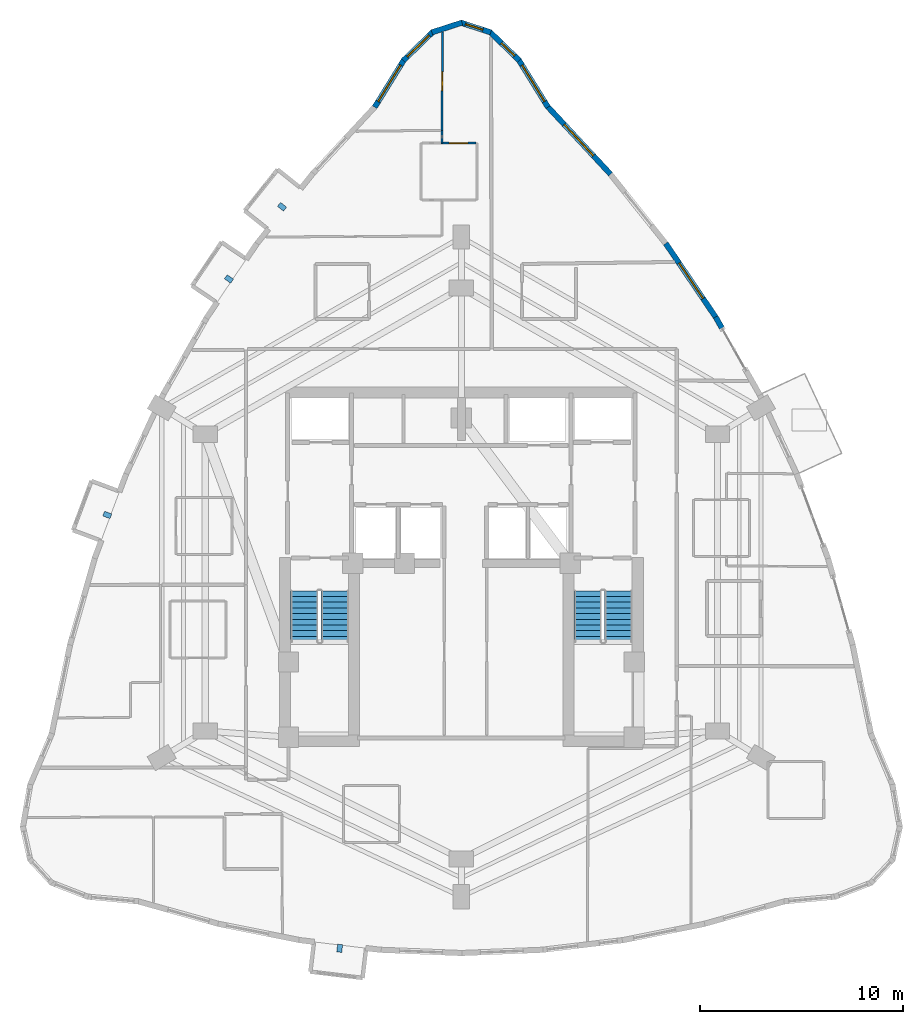
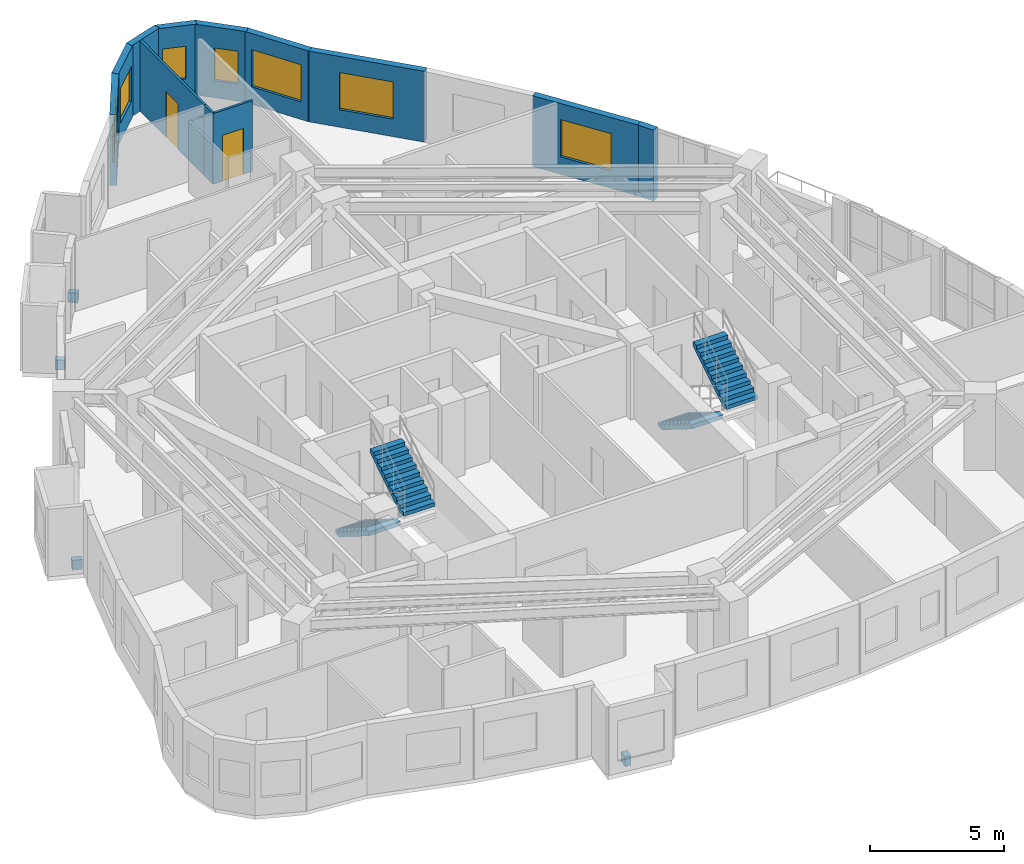
# One storey, part 13 of 14: 12 walls, 7 windows, 4 discrete accessories, 4 stair flights, 2 doors, 9 openings, 2 elements without a shape of their own.
"""IFC4 building model written with IfcOpenShell, lengths in metres."""

import ifcopenshell
import ifcopenshell.guid

model = None  # the IFC model being written
_history = None  # IfcOwnerHistory: only IFC2X3 demands one
_inside = {}  # id of a spatial element -> (the spatial element, [elements in it])
_under = {}  # id of a project, library or spatial element -> (it, [spatial elements below it])
_declared = {}  # id of a project -> (the project, [libraries it declares])
_typed = {}  # id of a type object -> (the type object, [elements of that type])
_made_of = {}  # id of a material, layer set ... -> (it, [elements and type objects made of it])


def new_model(schema):
    """Start an empty IFC model of exactly this schema.

    Asked for "IFC4X3", IfcOpenShell would pick the latest addendum, in which some entities
    have other attributes; the version numbers below select the first issue.
    IFC2X3 requires an IfcOwnerHistory on every rooted entity: one is made here for all.
    """
    global model, _history
    if schema == "IFC4X3":
        model = ifcopenshell.file(schema_version=(4, 3, 0, 0))
    else:
        model = ifcopenshell.file(schema=schema)
    _inside.clear()
    _under.clear()
    _declared.clear()
    _typed.clear()
    _made_of.clear()
    _history = None
    if model.schema == "IFC2X3":
        org = make("IfcOrganization", Name="unknown")
        user = make(
            "IfcPersonAndOrganization",
            ThePerson=make("IfcPerson", FamilyName="unknown"),
            TheOrganization=org,
        )
        app = make(
            "IfcApplication",
            ApplicationDeveloper=org,
            Version="unknown",
            ApplicationFullName="unknown",
            ApplicationIdentifier="unknown",
        )
        _history = make(
            "IfcOwnerHistory",
            OwningUser=user,
            OwningApplication=app,
            ChangeAction="ADDED",
            CreationDate=0,
        )
    return model


def make(cls, **values):
    """One entity of the class cls with the attributes given. An attribute that is None is left unset."""
    return model.create_entity(
        cls, **{name: value for name, value in values.items() if value is not None}
    )


def rooted(cls, **values):
    """An entity with a GlobalId (a new one), such as an element, a storey or a relation."""
    return make(cls, GlobalId=ifcopenshell.guid.new(), OwnerHistory=_history, **values)


def si_unit(unit_type, name, prefix=None):
    """IfcSIUnit, for example si_unit("LENGTHUNIT", "METRE", prefix="MILLI")."""
    return make("IfcSIUnit", UnitType=unit_type, Prefix=prefix, Name=name)


def assignment(units):
    """IfcUnitAssignment: the units of a project."""
    return None if units is None else make("IfcUnitAssignment", Units=units)


def point(xyz):
    """IfcCartesianPoint."""
    return None if xyz is None else make("IfcCartesianPoint", Coordinates=xyz)


def direction(xyz):
    """IfcDirection."""
    return None if xyz is None else make("IfcDirection", DirectionRatios=xyz)


def frame(location, z_axis=None, x_axis=None):
    """IfcAxis2Placement3D, a coordinate frame: its origin and axes. An axis left out is left unset."""
    return make(
        "IfcAxis2Placement3D",
        Location=point(location),
        Axis=direction(z_axis),
        RefDirection=direction(x_axis),
    )


def frame_2d(location, x_axis=None):
    """IfcAxis2Placement2D, a coordinate frame in the plane: its origin and x axis."""
    return make(
        "IfcAxis2Placement2D", Location=point(location), RefDirection=direction(x_axis)
    )


def origin():
    """The frame at (0, 0, 0) with its axes left unset."""
    return frame((0.0, 0.0, 0.0))


def origin_2d():
    """The frame at (0, 0) in the plane with its x axis left unset."""
    return frame_2d((0.0, 0.0))


def place(relative_to, where):
    """IfcLocalPlacement: puts the frame where relative to a parent placement (None: the world)."""
    return make(
        "IfcLocalPlacement", PlacementRelTo=relative_to, RelativePlacement=where
    )


def context(
    kind, dimensions, precision=None, world=None, true_north=None, identifier=None
):
    """IfcGeometricRepresentationContext, for example the 3D "Model" context."""
    return make(
        "IfcGeometricRepresentationContext",
        ContextIdentifier=identifier,
        ContextType=kind,
        CoordinateSpaceDimension=dimensions,
        Precision=precision,
        WorldCoordinateSystem=world,
        TrueNorth=true_north,
    )


def subcontext(parent, identifier, kind, view, scale=None):
    """IfcGeometricRepresentationSubContext, for example "Body" below "Model"."""
    return make(
        "IfcGeometricRepresentationSubContext",
        ContextIdentifier=identifier,
        ContextType=kind,
        ParentContext=parent,
        TargetScale=scale,
        TargetView=view,
    )


def project(units=None, contexts=None):
    """IfcProject with its units and contexts."""
    return rooted(
        "IfcProject",
        Name="project",
        RepresentationContexts=contexts,
        UnitsInContext=assignment(units),
    )


def spatial(cls, under=None, at=None, **own):
    """A site, building, storey or space (cls), placed at a placement, below another one or the project."""
    s = rooted(cls, ObjectPlacement=at, **own)
    if under is not None:
        _under.setdefault(under.id(), (under, []))[1].append(s)
    return s


def polyline(points):
    """IfcPolyline through the points."""
    return make("IfcPolyline", Points=[point(p) for p in points])


def profile(cls, at=None, kind="AREA", **sizes):
    """A parametric profile (cls). Its sizes go by their IFC names, for example OverallWidth=200.0."""
    return make(cls, ProfileType=kind, Position=at, **sizes)


def rectangle(**sizes):
    """IfcRectangleProfileDef."""
    return profile("IfcRectangleProfileDef", **sizes)


def outline(outer, holes=None, kind="AREA"):
    """IfcArbitraryClosedProfileDef: a profile drawn as a closed curve; with holes, ...WithVoids."""
    if holes is None:
        return make("IfcArbitraryClosedProfileDef", ProfileType=kind, OuterCurve=outer)
    return make(
        "IfcArbitraryProfileDefWithVoids",
        ProfileType=kind,
        OuterCurve=outer,
        InnerCurves=holes,
    )


def extrude(swept, where, along, depth):
    """IfcExtrudedAreaSolid: the profile swept, set in the frame where, extruded along a direction by depth."""
    return make(
        "IfcExtrudedAreaSolid",
        SweptArea=swept,
        Position=where,
        ExtrudedDirection=direction(along),
        Depth=depth,
    )


def shape(context_of_items, identifier, shape_type, items):
    """IfcShapeRepresentation: the items that make up one representation, for example the "Body"."""
    return make(
        "IfcShapeRepresentation",
        ContextOfItems=context_of_items,
        RepresentationIdentifier=identifier,
        RepresentationType=shape_type,
        Items=items,
    )


def material(Name=None, Category=None):
    """IfcMaterial."""
    return make("IfcMaterial", Name=Name, Category=Category)


def layer(
    of_material, thickness, ventilated=None, Name=None, Category=None, Priority=None
):
    """IfcMaterialLayer: one layer of a wall or slab, of a material (None: an air gap)."""
    return make(
        "IfcMaterialLayer",
        Material=of_material,
        LayerThickness=thickness,
        IsVentilated=ventilated,
        Name=Name,
        Category=Category,
        Priority=Priority,
    )


def layer_set(layers, Name=None):
    """IfcMaterialLayerSet."""
    return make("IfcMaterialLayerSet", MaterialLayers=layers, LayerSetName=Name)


def made_of(thing, what):
    """Note that an element or type object is made of a material, layer set ...; save() writes the relation."""
    if what is not None:
        _made_of.setdefault(what.id(), (what, []))[1].append(thing)
    return thing


def type_object(cls, material=None, **own):
    """A type object (cls), such as IfcWallType, which elements share."""
    return made_of(rooted(cls, **own), material)


def element(
    cls,
    number,
    at=None,
    inside=None,
    cuts=None,
    type_object=None,
    material=None,
    context=None,
    identifier="Body",
    shape_type=None,
    held_by="IfcProductDefinitionShape",
    body=None,
    shapes=None,
    **own,
):
    """One element of the class cls, such as IfcWall. Its Tag is "e" and its number.

    at: its placement. inside: the storey or other place that contains it. cuts: it is an
    opening in that element (IfcRelVoidsElement). A single representation is given by context,
    identifier, shape_type and body (its items); several are given by shapes. held_by: the class
    of the entity that holds the representations. save() writes the other relations.
    """
    e = rooted(cls, Tag="e%d" % number, ObjectPlacement=at, **own)
    if body is not None:
        shapes = [shape(context, identifier, shape_type, body)]
    if shapes is not None:
        e.Representation = make(held_by, Representations=shapes)
    if inside is not None:
        _inside.setdefault(inside.id(), (inside, []))[1].append(e)
    if cuts is not None:
        rooted(
            "IfcRelVoidsElement", RelatingBuildingElement=cuts, RelatedOpeningElement=e
        )
    if type_object is not None:
        _typed.setdefault(type_object.id(), (type_object, []))[1].append(e)
    return made_of(e, material)


def fill(opening, filler):
    """IfcRelFillsElement: the door or window that sits in an opening."""
    return rooted(
        "IfcRelFillsElement",
        RelatingOpeningElement=opening,
        RelatedBuildingElement=filler,
    )


def aggregate(whole, parts):
    """IfcRelAggregates: a whole, such as a stair, and the parts it consists of."""
    return rooted("IfcRelAggregates", RelatingObject=whole, RelatedObjects=parts)


def save(model, path):
    """Write the relations noted so far, then the file.

    IfcRelAggregates (storeys below a building ...), IfcRelContainedInSpatialStructure (elements
    in a storey), IfcRelDefinesByType, IfcRelAssociatesMaterial and IfcRelDeclares: one each for
    every whole, place, type object, material and project.
    """
    for whole, parts in _under.values():
        aggregate(whole, parts)
    for where, things in _inside.values():
        rooted(
            "IfcRelContainedInSpatialStructure",
            RelatedElements=things,
            RelatingStructure=where,
        )
    for kind, things in _typed.values():
        rooted("IfcRelDefinesByType", RelatedObjects=things, RelatingType=kind)
    for what, things in _made_of.values():
        rooted("IfcRelAssociatesMaterial", RelatedObjects=things, RelatingMaterial=what)
    for by, libraries in _declared.values():
        rooted("IfcRelDeclares", RelatingContext=by, RelatedDefinitions=libraries)
    model.write(path)


model = new_model("IFC4")

# Units and contexts
model_context = context("Model", 3, precision=1e-05, world=origin(), true_north=direction((0.0, 1.0)))
body_context = subcontext(model_context, "Body", "Model", "MODEL_VIEW")
ifc_project = project(units=[si_unit("LENGTHUNIT", "METRE"), si_unit("AREAUNIT", "SQUARE_METRE"), si_unit("VOLUMEUNIT", "CUBIC_METRE"), si_unit("PLANEANGLEUNIT", "RADIAN"), si_unit("MASSUNIT", "GRAM", prefix="KILO")], contexts=[model_context])

# Site, building, storey
site_placement = place(None, origin())
site = spatial("IfcSite", under=ifc_project, at=site_placement, CompositionType="ELEMENT")
building_placement = place(site_placement, origin())
building = spatial("IfcBuilding", under=site, at=building_placement, Name="Miruveldt Soraemaru", CompositionType="ELEMENT")
storey_placement = place(building_placement, frame((0.0, 0.0, 142.39990234375)))
storey = spatial("IfcBuildingStorey", under=building, at=storey_placement, Name="L39", CompositionType="ELEMENT", Elevation=142.39990234375)

# Wall, opening, window
ifc_material_1 = material(Name="Precast concrete C45/55 (45 MPa)", Category="concrete")
ifc_layer_1 = layer(ifc_material_1, 0.27001953125, Name="Precast concrete C45/55 (45 MPa)", Category="concrete")
ifc_layer_set_1 = layer_set([ifc_layer_1], Name="Precast concrete C45/55 (45 MPa)")
wall_type_1 = type_object("IfcWallType", Name="WALL-EXT-PC270", PredefinedType="SOLIDWALL", material=ifc_layer_set_1)
wall_1_placement = place(storey_placement, frame((48.264892578125, 66.4951171875, 0.0), z_axis=(0.0, 0.0, 1.0), x_axis=(-0.52601054543, 0.850478045629, 0.0)))
wall_1 = element("IfcWall", 1, at=wall_1_placement, inside=storey, type_object=wall_type_1, Name="L39 Precast Concrete Facade Wall 1", PredefinedType="SOLIDWALL", context=body_context, shape_type="SweptSolid", body=[
    extrude(rectangle(XDim=2.7607421875, YDim=0.27001953125, at=frame_2d((1.38037109375, 0.0))), origin(), (0.0, 0.0, 1.0), 3.235107421875),
])
opening_1_placement = place(wall_1_placement, frame((0.3310546875, 0.0, 0.800048828125)))
opening_1 = element("IfcOpeningElement", 2, at=opening_1_placement, cuts=wall_1, Name="Opening WN-1", PredefinedType="OPENING", context=body_context, shape_type="SweptSolid", body=[
    extrude(rectangle(XDim=2.10009765625, YDim=1.699951171875, at=frame_2d((1.050048828125, 0.85009765625))), frame((0.0, 0.14501953125, 0.0), z_axis=(0.0, -1.0, 0.0), x_axis=(1.0, 0.0, 0.0)), (0.0, 0.0, 1.0), 0.2900390625),
])
ifc_material_2 = material(Name="Triple low-e insulated glazing", Category="glass")
window_type_1 = type_object("IfcWindowType", Name="WIN-PUNCH-2100x1700", PartitioningType="SINGLE_PANEL", PredefinedType="WINDOW", material=ifc_material_2)
window_1_placement = place(opening_1_placement, origin())
window_1 = element("IfcWindow", 3, at=window_1_placement, inside=storey, type_object=window_type_1, Name="L39 Punched Triple-Glazed Window 01.1", OverallHeight=1.699951171875, OverallWidth=2.10009765625, PartitioningType="SINGLE_PANEL", PredefinedType="WINDOW", context=body_context, shape_type="SweptSolid", body=[
    extrude(rectangle(XDim=2.10009765625, YDim=1.699951171875, at=frame_2d((1.050048828125, 0.85009765625))), frame((0.0, 0.030029296875, 0.0), z_axis=(0.0, -1.0, 0.0), x_axis=(1.0, 0.0, 0.0)), (0.0, 0.0, 1.0), 0.06005859375),
])
fill(opening_1, window_1)

wall_2_placement = place(storey_placement, frame((46.856201171875, 68.788818359375, 0.0), z_axis=(0.0, 0.0, 1.0), x_axis=(-0.717784510079, 0.696265320902, 0.0)))
wall_2 = element("IfcWall", 4, at=wall_2_placement, inside=storey, type_object=wall_type_1, Name="L39 Precast Concrete Facade Wall 2", PredefinedType="SOLIDWALL", context=body_context, shape_type="SweptSolid", body=[
    extrude(rectangle(XDim=2.042236328125, YDim=0.27001953125, at=frame_2d((1.02099609375, 0.0))), origin(), (0.0, 0.0, 1.0), 3.235107421875),
])
opening_2_placement = place(wall_2_placement, frame((0.333984375, 0.0, 0.780029296875)))
opening_2 = element("IfcOpeningElement", 5, at=opening_2_placement, cuts=wall_2, Name="Opening WN-7", PredefinedType="OPENING", context=body_context, shape_type="SweptSolid", body=[
    extrude(rectangle(XDim=0.89990234375, YDim=1.5, at=frame_2d((0.449951171875, 0.75))), frame((0.0, 0.14501953125, 0.0), z_axis=(0.0, -1.0, 0.0), x_axis=(1.0, 0.0, 0.0)), (0.0, 0.0, 1.0), 0.2900390625),
])
window_type_2 = type_object("IfcWindowType", Name="WIN-PUNCH-900x1500", PartitioningType="SINGLE_PANEL", PredefinedType="WINDOW", material=ifc_material_2)
window_2_placement = place(opening_2_placement, origin())
window_2 = element("IfcWindow", 6, at=window_2_placement, inside=storey, type_object=window_type_2, Name="L39 Punched Triple-Glazed Window 02.1", OverallHeight=1.5, OverallWidth=0.89990234375, PartitioningType="SINGLE_PANEL", PredefinedType="WINDOW", context=body_context, shape_type="SweptSolid", body=[
    extrude(rectangle(XDim=0.89990234375, YDim=1.5, at=frame_2d((0.449951171875, 0.75))), frame((0.0, 0.030029296875, 0.0), z_axis=(0.0, -1.0, 0.0), x_axis=(1.0, 0.0, 0.0)), (0.0, 0.0, 1.0), 0.06005859375),
])
fill(opening_2, window_2)

wall_3_placement = place(storey_placement, frame((45.44873046875, 70.175537109375, 0.0), z_axis=(0.0, 0.0, 1.0), x_axis=(-0.951482318346, 0.307703425192, 0.0)))
wall_3 = element("IfcWall", 7, at=wall_3_placement, inside=storey, type_object=wall_type_1, Name="L39 Precast Concrete Facade Wall 3", PredefinedType="SOLIDWALL", context=body_context, shape_type="SweptSolid", body=[
    extrude(rectangle(XDim=1.5576171875, YDim=0.27001953125, at=frame_2d((0.77880859375, 0.0))), origin(), (0.0, 0.0, 1.0), 3.235107421875),
])
opening_3_placement = place(wall_3_placement, frame((0.410888671875, 0.0, 0.780029296875)))
opening_3 = element("IfcOpeningElement", 8, at=opening_3_placement, cuts=wall_3, Name="Opening WN-7", PredefinedType="OPENING", context=body_context, shape_type="SweptSolid", body=[
    extrude(rectangle(XDim=0.89990234375, YDim=1.5, at=frame_2d((0.449951171875, 0.75))), frame((0.0, 0.14501953125, 0.0), z_axis=(0.0, -1.0, 0.0), x_axis=(1.0, 0.0, 0.0)), (0.0, 0.0, 1.0), 0.2900390625),
])
window_3_placement = place(opening_3_placement, origin())
window_3 = element("IfcWindow", 9, at=window_3_placement, inside=storey, type_object=window_type_2, Name="L39 Punched Triple-Glazed Window 03.1", OverallHeight=1.5, OverallWidth=0.89990234375, PartitioningType="SINGLE_PANEL", PredefinedType="WINDOW", context=body_context, shape_type="SweptSolid", body=[
    extrude(rectangle(XDim=0.89990234375, YDim=1.5, at=frame_2d((0.449951171875, 0.75))), frame((0.0, 0.030029296875, 0.0), z_axis=(0.0, -1.0, 0.0), x_axis=(1.0, 0.0, 0.0)), (0.0, 0.0, 1.0), 0.06005859375),
])
fill(opening_3, window_3)

# Wall
wall_4_placement = place(storey_placement, frame((44.033203125, 70.65478515625, 0.0), z_axis=(0.0, 0.0, 1.0), x_axis=(-0.951482318346, -0.307703425192, 0.0)))
element("IfcWall", 10, at=wall_4_placement, inside=storey, type_object=wall_type_1, Name="L39 Precast Concrete Facade Wall 4", PredefinedType="SOLIDWALL", context=body_context, shape_type="SweptSolid", body=[
    extrude(rectangle(XDim=1.5576171875, YDim=0.27001953125, at=frame_2d((0.77880859375, 0.0))), origin(), (0.0, 0.0, 1.0), 3.235107421875),
])

# Wall, opening, window
wall_5_placement = place(storey_placement, frame((42.609619140625, 70.210693359375, 0.0), z_axis=(0.0, 0.0, 1.0), x_axis=(-0.717784510079, -0.696265320902, 0.0)))
wall_5 = element("IfcWall", 11, at=wall_5_placement, inside=storey, type_object=wall_type_1, Name="L39 Precast Concrete Facade Wall 5", PredefinedType="SOLIDWALL", context=body_context, shape_type="SweptSolid", body=[
    extrude(rectangle(XDim=2.042236328125, YDim=0.27001953125, at=frame_2d((1.02099609375, 0.0))), origin(), (0.0, 0.0, 1.0), 3.235107421875),
])
opening_4_placement = place(wall_5_placement, frame((0.27099609375, 0.0, 0.800048828125)))
opening_4 = element("IfcOpeningElement", 12, at=opening_4_placement, cuts=wall_5, Name="Opening WN-3", PredefinedType="OPENING", context=body_context, shape_type="SweptSolid", body=[
    extrude(rectangle(XDim=1.5, YDim=1.60009765625, at=frame_2d((0.75, 0.800048828125))), frame((0.0, 0.14501953125, 0.0), z_axis=(0.0, -1.0, 0.0), x_axis=(1.0, 0.0, 0.0)), (0.0, 0.0, 1.0), 0.2900390625),
])
window_type_3 = type_object("IfcWindowType", Name="WIN-PUNCH-1500x1600", PartitioningType="SINGLE_PANEL", PredefinedType="WINDOW", material=ifc_material_2)
window_4_placement = place(opening_4_placement, origin())
window_4 = element("IfcWindow", 13, at=window_4_placement, inside=storey, type_object=window_type_3, Name="L39 Punched Triple-Glazed Window 05.1", OverallHeight=1.60009765625, OverallWidth=1.5, PartitioningType="SINGLE_PANEL", PredefinedType="WINDOW", context=body_context, shape_type="SweptSolid", body=[
    extrude(rectangle(XDim=1.5, YDim=1.60009765625, at=frame_2d((0.75, 0.800048828125))), frame((0.0, 0.030029296875, 0.0), z_axis=(0.0, -1.0, 0.0), x_axis=(1.0, 0.0, 0.0)), (0.0, 0.0, 1.0), 0.06005859375),
])
fill(opening_4, window_4)

wall_6_placement = place(storey_placement, frame((41.187255859375, 68.843017578125, 0.0), z_axis=(0.0, 0.0, 1.0), x_axis=(-0.52601054543, -0.850478045629, 0.0)))
wall_6 = element("IfcWall", 14, at=wall_6_placement, inside=storey, type_object=wall_type_1, Name="L39 Precast Concrete Facade Wall 6", PredefinedType="SOLIDWALL", context=body_context, shape_type="SweptSolid", body=[
    extrude(rectangle(XDim=2.7607421875, YDim=0.27001953125, at=frame_2d((1.38037109375, 0.0))), origin(), (0.0, 0.0, 1.0), 3.235107421875),
])
opening_5_placement = place(wall_6_placement, frame((0.3310546875, 0.0, 0.800048828125)))
opening_5 = element("IfcOpeningElement", 15, at=opening_5_placement, cuts=wall_6, Name="Opening WN-1", PredefinedType="OPENING", context=body_context, shape_type="SweptSolid", body=[
    extrude(rectangle(XDim=2.10009765625, YDim=1.699951171875, at=frame_2d((1.050048828125, 0.85009765625))), frame((0.0, 0.14501953125, 0.0), z_axis=(0.0, -1.0, 0.0), x_axis=(1.0, 0.0, 0.0)), (0.0, 0.0, 1.0), 0.2900390625),
])
window_5_placement = place(opening_5_placement, origin())
window_5 = element("IfcWindow", 16, at=window_5_placement, inside=storey, type_object=window_type_1, Name="L39 Punched Triple-Glazed Window 06.1", OverallHeight=1.699951171875, OverallWidth=2.10009765625, PartitioningType="SINGLE_PANEL", PredefinedType="WINDOW", context=body_context, shape_type="SweptSolid", body=[
    extrude(rectangle(XDim=2.10009765625, YDim=1.699951171875, at=frame_2d((1.050048828125, 0.85009765625))), frame((0.0, 0.030029296875, 0.0), z_axis=(0.0, -1.0, 0.0), x_axis=(1.0, 0.0, 0.0)), (0.0, 0.0, 1.0), 0.06005859375),
])
fill(opening_5, window_5)

# Wall
wall_7_placement = place(storey_placement, frame((56.859130859375, 55.560302734375, 0.0), z_axis=(0.0, 0.0, 1.0), x_axis=(-0.493187456667, 0.869923061303, 0.0)))
element("IfcWall", 17, at=wall_7_placement, inside=storey, type_object=wall_type_1, Name="L39 Precast Pier Right 39", PredefinedType="SOLIDWALL", context=body_context, shape_type="SweptSolid", body=[
    extrude(rectangle(XDim=0.704345703125, YDim=0.27001953125, at=frame_2d((0.35205078125, 0.0))), origin(), (0.0, 0.0, 1.0), 3.235107421875),
])

# Wall, opening, window
wall_8_placement = place(storey_placement, frame((56.548583984375, 56.11376953125, 0.0), z_axis=(0.0, 0.0, 1.0), x_axis=(-0.56086151256, 0.827909635002, 0.0)))
wall_8 = element("IfcWall", 18, at=wall_8_placement, inside=storey, type_object=wall_type_1, Name="L39 Precast Concrete Facade Wall 40", PredefinedType="SOLIDWALL", context=body_context, shape_type="SweptSolid", body=[
    extrude(rectangle(XDim=4.442138671875, YDim=0.27001953125, at=frame_2d((2.22119140625, 0.0))), origin(), (0.0, 0.0, 1.0), 3.235107421875),
])
opening_6_placement = place(wall_8_placement, frame((1.1708984375, 0.0, 0.800048828125)))
opening_6 = element("IfcOpeningElement", 19, at=opening_6_placement, cuts=wall_8, Name="Opening WN-1", PredefinedType="OPENING", context=body_context, shape_type="SweptSolid", body=[
    extrude(rectangle(XDim=2.10009765625, YDim=1.699951171875, at=frame_2d((1.050048828125, 0.85009765625))), frame((0.0, 0.14501953125, 0.0), z_axis=(0.0, -1.0, 0.0), x_axis=(1.0, 0.0, 0.0)), (0.0, 0.0, 1.0), 0.2900390625),
])
window_6_placement = place(opening_6_placement, origin())
window_6 = element("IfcWindow", 20, at=window_6_placement, inside=storey, type_object=window_type_1, Name="L39 Punched Triple-Glazed Window 40.1", OverallHeight=1.699951171875, OverallWidth=2.10009765625, PartitioningType="SINGLE_PANEL", PredefinedType="WINDOW", context=body_context, shape_type="SweptSolid", body=[
    extrude(rectangle(XDim=2.10009765625, YDim=1.699951171875, at=frame_2d((1.050048828125, 0.85009765625))), frame((0.0, 0.030029296875, 0.0), z_axis=(0.0, -1.0, 0.0), x_axis=(1.0, 0.0, 0.0)), (0.0, 0.0, 1.0), 0.06005859375),
])
fill(opening_6, window_6)

wall_9_placement = place(storey_placement, frame((51.33984375, 63.19775390625, 0.0), z_axis=(0.0, 0.0, 1.0), x_axis=(-0.680878509261, 0.732396378764, 0.0)))
wall_9 = element("IfcWall", 21, at=wall_9_placement, inside=storey, type_object=wall_type_1, Name="L39 Precast Concrete Facade Wall 42", PredefinedType="SOLIDWALL", context=body_context, shape_type="SweptSolid", body=[
    extrude(rectangle(XDim=4.577880859375, YDim=0.27001953125, at=frame_2d((2.2890625, 0.0))), origin(), (0.0, 0.0, 1.0), 3.235107421875),
])
opening_7_placement = place(wall_9_placement, frame((1.239013671875, 0.0, 0.800048828125)))
opening_7 = element("IfcOpeningElement", 22, at=opening_7_placement, cuts=wall_9, Name="Opening WN-1", PredefinedType="OPENING", context=body_context, shape_type="SweptSolid", body=[
    extrude(rectangle(XDim=2.10009765625, YDim=1.699951171875, at=frame_2d((1.050048828125, 0.85009765625))), frame((0.0, 0.14501953125, 0.0), z_axis=(0.0, -1.0, 0.0), x_axis=(1.0, 0.0, 0.0)), (0.0, 0.0, 1.0), 0.2900390625),
])
window_7_placement = place(opening_7_placement, origin())
window_7 = element("IfcWindow", 23, at=window_7_placement, inside=storey, type_object=window_type_1, Name="L39 Punched Triple-Glazed Window 42.1", OverallHeight=1.699951171875, OverallWidth=2.10009765625, PartitioningType="SINGLE_PANEL", PredefinedType="WINDOW", context=body_context, shape_type="SweptSolid", body=[
    extrude(rectangle(XDim=2.10009765625, YDim=1.699951171875, at=frame_2d((1.050048828125, 0.85009765625))), frame((0.0, 0.030029296875, 0.0), z_axis=(0.0, -1.0, 0.0), x_axis=(1.0, 0.0, 0.0)), (0.0, 0.0, 1.0), 0.06005859375),
])
fill(opening_7, window_7)

# Wall, opening, door
ifc_material_3 = material(Name="Gypsum plasterboard lining", Category="gypsum")
ifc_layer_2 = layer(ifc_material_3, 0.10009765625, Name="Gypsum plasterboard lining", Category="gypsum")
ifc_layer_set_2 = layer_set([ifc_layer_2], Name="Gypsum plasterboard lining")
wall_type_2 = type_object("IfcWallType", Name="WALL-INT-P100", PredefinedType="PARTITIONING", material=ifc_layer_set_2)
wall_10_placement = place(storey_placement, frame((43.072021484375, 70.18603515625, 0.0), z_axis=(0.0, 0.0, 1.0), x_axis=(-0.004550003457, -0.999989648681, 0.0)))
wall_10 = element("IfcWall", 24, at=wall_10_placement, inside=storey, type_object=wall_type_2, Name="L39 Partition Wall 23", PredefinedType="PARTITIONING", context=body_context, shape_type="SweptSolid", body=[
    extrude(rectangle(XDim=4.8291015625, YDim=0.10009765625, at=frame_2d((2.41455078125, 0.0))), origin(), (0.0, 0.0, 1.0), 3.235107421875),
])
opening_8_placement = place(wall_10_placement, frame((1.955078125, 0.0, 0.0)))
opening_8 = element("IfcOpeningElement", 25, at=opening_8_placement, cuts=wall_10, Name="Opening D3A", PredefinedType="OPENING", context=body_context, shape_type="SweptSolid", body=[
    extrude(rectangle(XDim=0.919921875, YDim=2.10009765625, at=frame_2d((0.4599609375, 1.050048828125))), frame((0.0, 0.06005859375, 0.0), z_axis=(0.0, -1.0, 0.0), x_axis=(1.0, 0.0, 0.0)), (0.0, 0.0, 1.0), 0.1201171875),
])
ifc_material_4 = material(Name="Anodised aluminium EN AW-6063 T6", Category="aluminium")
door_type = type_object("IfcDoorType", Name="DOOR-INT-920", OperationType="NOTDEFINED", PredefinedType="DOOR", material=ifc_material_4)
door_1_placement = place(opening_8_placement, origin())
door_1 = element("IfcDoor", 26, at=door_1_placement, inside=storey, type_object=door_type, Name="L39 Unit 3901 BD2 Door", OperationType="SINGLE_SWING_RIGHT", OverallHeight=2.10009765625, OverallWidth=0.919921875, PredefinedType="DOOR", context=body_context, shape_type="SweptSolid", body=[
    extrude(rectangle(XDim=0.919921875, YDim=2.10009765625, at=frame_2d((0.4599609375, 1.050048828125))), frame((0.0, 0.02490234375, 0.0), z_axis=(0.0, -1.0, 0.0), x_axis=(1.0, 0.0, 0.0)), (0.0, 0.0, 1.0), 0.050048828125),
])
fill(opening_8, door_1)

wall_11_placement = place(storey_placement, frame((44.715087890625, 64.72998046875, 0.0), z_axis=(0.0, 0.0, 1.0), x_axis=(-1.0, 0.0, 0.0)))
wall_11 = element("IfcWall", 27, at=wall_11_placement, inside=storey, type_object=wall_type_2, Name="L39 Partition Wall 18", PredefinedType="PARTITIONING", context=body_context, shape_type="SweptSolid", body=[
    extrude(rectangle(XDim=1.705078125, YDim=0.10009765625, at=frame_2d((0.8525390625, 0.0))), origin(), (0.0, 0.0, 1.0), 3.235107421875),
])
opening_9_placement = place(wall_11_placement, frame((0.39306640625, 0.0, 0.0)))
opening_9 = element("IfcOpeningElement", 28, at=opening_9_placement, cuts=wall_11, Name="Opening D3A", PredefinedType="OPENING", context=body_context, shape_type="SweptSolid", body=[
    extrude(rectangle(XDim=0.919921875, YDim=2.10009765625, at=frame_2d((0.4599609375, 1.050048828125))), frame((0.0, 0.06005859375, 0.0), z_axis=(0.0, -1.0, 0.0), x_axis=(1.0, 0.0, 0.0)), (0.0, 0.0, 1.0), 0.1201171875),
])
door_2_placement = place(opening_9_placement, origin())
door_2 = element("IfcDoor", 29, at=door_2_placement, inside=storey, type_object=door_type, Name="L39 Unit 3901 KIT Door", OperationType="SINGLE_SWING_RIGHT", OverallHeight=2.10009765625, OverallWidth=0.919921875, PredefinedType="DOOR", context=body_context, shape_type="SweptSolid", body=[
    extrude(rectangle(XDim=0.919921875, YDim=2.10009765625, at=frame_2d((0.4599609375, 1.050048828125))), frame((0.0, 0.02490234375, 0.0), z_axis=(0.0, -1.0, 0.0), x_axis=(1.0, 0.0, 0.0)), (0.0, 0.0, 1.0), 0.050048828125),
])
fill(opening_9, door_2)

# Wall
wall_12_placement = place(storey_placement, frame((43.050048828125, 65.35693359375, 0.0), z_axis=(0.0, 0.0, 1.0), x_axis=(0.0, -1.0, 0.0)))
element("IfcWall", 30, at=wall_12_placement, inside=storey, type_object=wall_type_2, Name="L39 Partition Wall 20", PredefinedType="PARTITIONING", context=body_context, shape_type="SweptSolid", body=[
    extrude(rectangle(XDim=0.626953125, YDim=0.10009765625, at=frame_2d((0.3134765625, 0.0))), origin(), (0.0, 0.0, 1.0), 3.235107421875),
])

# Stair, stair flights
ifc_material_5 = material(Name="Concrete C40/50 (40 MPa)", Category="concrete")
stair_type = type_object("IfcStairType", Name="STAIR-DL-350", PredefinedType="HALF_TURN_STAIR", material=ifc_material_5)
stair_1_placement = place(storey_placement, origin())
stair_1 = element("IfcStair", 31, at=stair_1_placement, inside=storey, type_object=stair_type, Name="L39 Protected Exit Stair ST-1", PredefinedType="HALF_TURN_STAIR")
stair_flight_type = type_object("IfcStairFlightType", Name="SFL-DL-350", PredefinedType="STRAIGHT", material=ifc_material_5)
stair_flight_1_placement = place(storey_placement, frame((36.27490234375, 42.699951171875, 0.0), z_axis=(0.0, 0.0, 1.0), x_axis=(0.0, -1.0, 0.0)))
stair_flight_1 = element("IfcStairFlight", 32, at=stair_flight_1_placement, type_object=stair_flight_type, Name="ST-1 flight 1", NumberOfRisers=10, NumberOfTreads=9, PredefinedType="STRAIGHT", RiserHeight=0.175, TreadLength=0.28, context=body_context, shape_type="SweptSolid", body=[
    extrude(outline(polyline([(0.0, 0.0), (0.0, 0.175048828125), (0.280029296875, 0.175048828125), (0.280029296875, 0.35009765625), (0.56005859375, 0.35009765625), (0.56005859375, 0.52490234375), (0.840087890625, 0.52490234375), (0.840087890625, 0.699951171875), (1.1201171875, 0.699951171875), (1.1201171875, 0.875), (1.39990234375, 0.875), (1.39990234375, 1.050048828125), (1.679931640625, 1.050048828125), (1.679931640625, 1.22509765625), (1.9599609375, 1.22509765625), (1.9599609375, 1.39990234375), (2.239990234375, 1.39990234375), (2.239990234375, 1.574951171875), (2.52001953125, 1.574951171875), (2.52001953125, 1.75), (2.52001953125, 1.386474609375), (0.3017578125, 0.0), (0.0, 0.0)])), frame((0.0, 0.675048828125, 0.0), z_axis=(0.0, -1.0, 0.0), x_axis=(1.0, 0.0, 0.0)), (0.0, 0.0, 1.0), 1.35009765625),
])
stair_flight_2_placement = place(storey_placement, frame((37.77490234375, 40.179931640625, 1.75), z_axis=(0.0, 0.0, 1.0), x_axis=(0.0, 1.0, 0.0)))
stair_flight_2 = element("IfcStairFlight", 33, at=stair_flight_2_placement, type_object=stair_flight_type, Name="ST-1 flight 2", NumberOfRisers=10, NumberOfTreads=9, PredefinedType="STRAIGHT", RiserHeight=0.175, TreadLength=0.28, context=body_context, shape_type="SweptSolid", body=[
    extrude(outline(polyline([(0.0, 0.0), (0.0, 0.175048828125), (0.280029296875, 0.175048828125), (0.280029296875, 0.35009765625), (0.56005859375, 0.35009765625), (0.56005859375, 0.52490234375), (0.840087890625, 0.52490234375), (0.840087890625, 0.699951171875), (1.1201171875, 0.699951171875), (1.1201171875, 0.875), (1.39990234375, 0.875), (1.39990234375, 1.050048828125), (1.679931640625, 1.050048828125), (1.679931640625, 1.22509765625), (1.9599609375, 1.22509765625), (1.9599609375, 1.39990234375), (2.239990234375, 1.39990234375), (2.239990234375, 1.574951171875), (2.52001953125, 1.574951171875), (2.52001953125, 1.75), (2.52001953125, 1.386474609375), (0.3017578125, 0.0), (0.0, 0.0)])), frame((0.0, 0.675048828125, 0.0), z_axis=(0.0, -1.0, 0.0), x_axis=(1.0, 0.0, 0.0)), (0.0, 0.0, 1.0), 1.35009765625),
])
aggregate(stair_1, [stair_flight_1, stair_flight_2])

stair_2_placement = place(storey_placement, origin())
stair_2 = element("IfcStair", 34, at=stair_2_placement, inside=storey, type_object=stair_type, Name="L39 Protected Exit Stair ST-2", PredefinedType="HALF_TURN_STAIR")
stair_flight_3_placement = place(storey_placement, frame((50.22509765625, 42.699951171875, 0.0), z_axis=(0.0, 0.0, 1.0), x_axis=(0.0, -1.0, 0.0)))
stair_flight_3 = element("IfcStairFlight", 35, at=stair_flight_3_placement, type_object=stair_flight_type, Name="ST-2 flight 1", NumberOfRisers=10, NumberOfTreads=9, PredefinedType="STRAIGHT", RiserHeight=0.175, TreadLength=0.28, context=body_context, shape_type="SweptSolid", body=[
    extrude(outline(polyline([(0.0, 0.0), (0.0, 0.175048828125), (0.280029296875, 0.175048828125), (0.280029296875, 0.35009765625), (0.56005859375, 0.35009765625), (0.56005859375, 0.52490234375), (0.840087890625, 0.52490234375), (0.840087890625, 0.699951171875), (1.1201171875, 0.699951171875), (1.1201171875, 0.875), (1.39990234375, 0.875), (1.39990234375, 1.050048828125), (1.679931640625, 1.050048828125), (1.679931640625, 1.22509765625), (1.9599609375, 1.22509765625), (1.9599609375, 1.39990234375), (2.239990234375, 1.39990234375), (2.239990234375, 1.574951171875), (2.52001953125, 1.574951171875), (2.52001953125, 1.75), (2.52001953125, 1.386474609375), (0.3017578125, 0.0), (0.0, 0.0)])), frame((0.0, 0.675048828125, 0.0), z_axis=(0.0, -1.0, 0.0), x_axis=(1.0, 0.0, 0.0)), (0.0, 0.0, 1.0), 1.35009765625),
])
stair_flight_4_placement = place(storey_placement, frame((51.72509765625, 40.179931640625, 1.75), z_axis=(0.0, 0.0, 1.0), x_axis=(0.0, 1.0, 0.0)))
stair_flight_4 = element("IfcStairFlight", 36, at=stair_flight_4_placement, type_object=stair_flight_type, Name="ST-2 flight 2", NumberOfRisers=10, NumberOfTreads=9, PredefinedType="STRAIGHT", RiserHeight=0.175, TreadLength=0.28, context=body_context, shape_type="SweptSolid", body=[
    extrude(outline(polyline([(0.0, 0.0), (0.0, 0.175048828125), (0.280029296875, 0.175048828125), (0.280029296875, 0.35009765625), (0.56005859375, 0.35009765625), (0.56005859375, 0.52490234375), (0.840087890625, 0.52490234375), (0.840087890625, 0.699951171875), (1.1201171875, 0.699951171875), (1.1201171875, 0.875), (1.39990234375, 0.875), (1.39990234375, 1.050048828125), (1.679931640625, 1.050048828125), (1.679931640625, 1.22509765625), (1.9599609375, 1.22509765625), (1.9599609375, 1.39990234375), (2.239990234375, 1.39990234375), (2.239990234375, 1.574951171875), (2.52001953125, 1.574951171875), (2.52001953125, 1.75), (2.52001953125, 1.386474609375), (0.3017578125, 0.0), (0.0, 0.0)])), frame((0.0, 0.675048828125, 0.0), z_axis=(0.0, -1.0, 0.0), x_axis=(1.0, 0.0, 0.0)), (0.0, 0.0, 1.0), 1.35009765625),
])
aggregate(stair_2, [stair_flight_3, stair_flight_4])

# Discrete accessories
ifc_material_6 = material(Name="Steel SM355 (355 MPa)", Category="steel")
discrete_accessory_type = type_object("IfcDiscreteAccessoryType", Name="ACC-BAY-BRK", PredefinedType="BRACKET", material=ifc_material_6)
for number, where, z_axis, x_axis, name in (
    (37, (26.580078125, 46.432861328125, -0.7099609375), (0.0, 0.0, 1.0), (-0.937117624721, 0.349013692334, 0.0), "L39 Bay Window Cantilever Bracket 1"),
    (38, (38.013916015625, 25.111572265625, -0.7099609375), (0.0, 0.0, 1.0), (-0.119131818163, -0.99287844669, 0.0), "L39 Bay Window Cantilever Bracket 2"),
    (39, (35.178466796875, 61.5927734375, -0.7099609375), (0.0, 0.0, 1.0), (-0.781727315753, 0.623620400408, 0.0), "L39 Bay Window Cantilever Bracket 3"),
    (40, (32.564697265625, 58.04248046875, -0.7099609375), (0.0, 0.0, 1.0), (-0.827923319955, 0.560841311134, 0.0), "L39 Bay Window Cantilever Bracket 4"),
):
    element("IfcDiscreteAccessory", number, at=place(storey_placement, frame(where, z_axis=z_axis, x_axis=x_axis)), inside=storey, type_object=discrete_accessory_type, Name=name, PredefinedType="BRACKET", context=body_context, shape_type="SweptSolid", body=[
        extrude(rectangle(XDim=0.3798828125, YDim=0.25, at=origin_2d()), origin(), (0.0, 0.0, 1.0), 0.449951171875),
    ])

save(model, "model.ifc")
